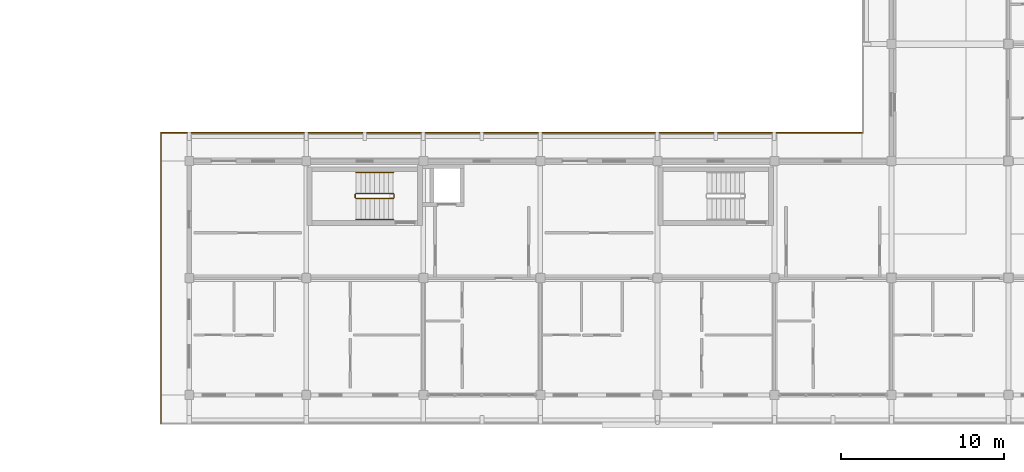
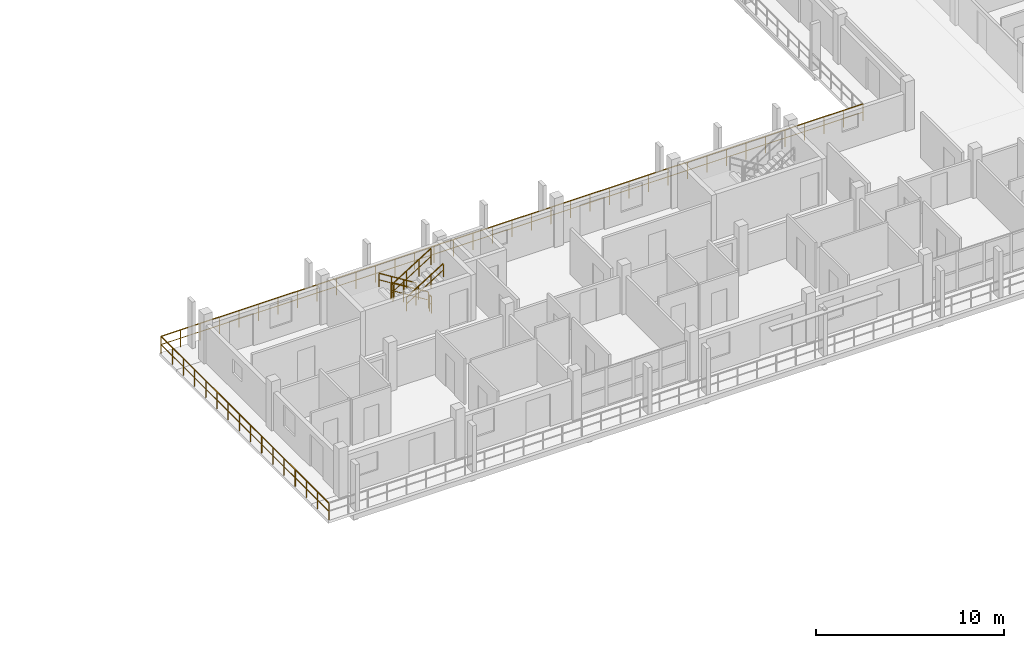
# One storey, part 67 of 73: 8 railings.
"""IFC4 building model written with IfcOpenShell, lengths in metres."""

from ifc_helpers import new_model, si_unit, direction, frame, origin, origin_2d, place, context, subcontext, project, spatial, rectangle, extrude, material, type_object, element, save


model = new_model("IFC4")

# Units and contexts
model_context = context("Model", 3, precision=1e-05, world=origin(), true_north=direction((0.0, 1.0)))
body_context = subcontext(model_context, "Body", "Model", "MODEL_VIEW")
ifc_project = project(units=[si_unit("LENGTHUNIT", "METRE"), si_unit("AREAUNIT", "SQUARE_METRE"), si_unit("VOLUMEUNIT", "CUBIC_METRE"), si_unit("PLANEANGLEUNIT", "RADIAN"), si_unit("MASSUNIT", "GRAM", prefix="KILO")], contexts=[model_context])

# Site, building, storey
site_placement = place(None, origin())
site = spatial("IfcSite", under=ifc_project, at=site_placement, CompositionType="ELEMENT")
building_placement = place(site_placement, origin())
building = spatial("IfcBuilding", under=site, at=building_placement, Name="Suanplinth Sawtooth Commons", CompositionType="ELEMENT")
storey_placement = place(building_placement, frame((0.0, 0.0, 21.89990234375)))
storey = spatial("IfcBuildingStorey", under=building, at=storey_placement, Name="L06", CompositionType="ELEMENT", Elevation=21.89990234375)

# Railings
ifc_material_1 = material(Name="Powder-coated galvanized steel", Category="steel")
railing_type_1 = type_object("IfcRailingType", Name="GR-01", PredefinedType="BALUSTRADE", material=ifc_material_1)
railing_1_placement = place(storey_placement, frame((127.860107421875, -1.739990234375, 0.0)))
element("IfcRailing", 1, at=railing_1_placement, inside=storey, type_object=railing_type_1, Name="L06 Block C Perimeter Balustrade 1", PredefinedType="BALUSTRADE", context=body_context, shape_type="SweptSolid", body=[
    extrude(rectangle(XDim=0.048095703125, YDim=0.048095703125, at=origin_2d()), frame((0.0, 0.0, 1.09619140625), z_axis=(0.0, 1.0, 0.0), x_axis=(-1.0, 0.0, 0.0)), (0.0, 0.0, 1.0), 17.8798828125),
    extrude(rectangle(XDim=0.03369140625, YDim=0.03369140625, at=origin_2d()), frame((0.0, 0.0, 0.56005859375), z_axis=(0.0, 1.0, 0.0), x_axis=(-1.0, 0.0, 0.0)), (0.0, 0.0, 1.0), 17.8798828125),
    extrude(rectangle(XDim=0.0419921875, YDim=0.0419921875, at=origin_2d()), origin(), (0.0, 0.0, 1.0), 1.072021484375),
    extrude(rectangle(XDim=0.0419921875, YDim=0.0419921875, at=origin_2d()), frame((0.0, 1.19189453125, 0.0)), (0.0, 0.0, 1.0), 1.072021484375),
    extrude(rectangle(XDim=0.0419921875, YDim=0.0419921875, at=origin_2d()), frame((0.0, 2.384033203125, 0.0)), (0.0, 0.0, 1.0), 1.072021484375),
    extrude(rectangle(XDim=0.0419921875, YDim=0.0419921875, at=origin_2d()), frame((0.0, 3.575927734375, 0.0)), (0.0, 0.0, 1.0), 1.072021484375),
    extrude(rectangle(XDim=0.0419921875, YDim=0.0419921875, at=origin_2d()), frame((0.0, 4.76806640625, 0.0)), (0.0, 0.0, 1.0), 1.072021484375),
    extrude(rectangle(XDim=0.0419921875, YDim=0.0419921875, at=origin_2d()), frame((0.0, 5.9599609375, 0.0)), (0.0, 0.0, 1.0), 1.072021484375),
    extrude(rectangle(XDim=0.0419921875, YDim=0.0419921875, at=origin_2d()), frame((0.0, 7.15185546875, 0.0)), (0.0, 0.0, 1.0), 1.072021484375),
    extrude(rectangle(XDim=0.0419921875, YDim=0.0419921875, at=origin_2d()), frame((0.0, 8.343994140625, 0.0)), (0.0, 0.0, 1.0), 1.072021484375),
    extrude(rectangle(XDim=0.0419921875, YDim=0.0419921875, at=origin_2d()), frame((0.0, 9.535888671875, 0.0)), (0.0, 0.0, 1.0), 1.072021484375),
    extrude(rectangle(XDim=0.0419921875, YDim=0.0419921875, at=origin_2d()), frame((0.0, 10.72802734375, 0.0)), (0.0, 0.0, 1.0), 1.072021484375),
    extrude(rectangle(XDim=0.0419921875, YDim=0.0419921875, at=origin_2d()), frame((0.0, 11.919921875, 0.0)), (0.0, 0.0, 1.0), 1.072021484375),
    extrude(rectangle(XDim=0.0419921875, YDim=0.0419921875, at=origin_2d()), frame((0.0, 13.11181640625, 0.0)), (0.0, 0.0, 1.0), 1.072021484375),
    extrude(rectangle(XDim=0.0419921875, YDim=0.0419921875, at=origin_2d()), frame((0.0, 14.303955078125, 0.0)), (0.0, 0.0, 1.0), 1.072021484375),
    extrude(rectangle(XDim=0.0419921875, YDim=0.0419921875, at=origin_2d()), frame((0.0, 15.495849609375, 0.0)), (0.0, 0.0, 1.0), 1.072021484375),
    extrude(rectangle(XDim=0.0419921875, YDim=0.0419921875, at=origin_2d()), frame((0.0, 16.68798828125, 0.0)), (0.0, 0.0, 1.0), 1.072021484375),
    extrude(rectangle(XDim=0.0419921875, YDim=0.0419921875, at=origin_2d()), frame((0.0, 17.8798828125, 0.0)), (0.0, 0.0, 1.0), 1.072021484375),
])
railing_2_placement = place(storey_placement, frame((127.860107421875, 16.139892578125, 0.0)))
element("IfcRailing", 2, at=railing_2_placement, inside=storey, type_object=railing_type_1, Name="L06 Block C Perimeter Balustrade 2", PredefinedType="BALUSTRADE", context=body_context, shape_type="SweptSolid", body=[
    extrude(rectangle(XDim=0.048095703125, YDim=0.048095703125, at=origin_2d()), frame((0.0, 0.0, 1.09619140625), z_axis=(1.0, 0.0, 0.0), x_axis=(0.0, 1.0, 0.0)), (0.0, 0.0, 1.0), 43.199951171875),
    extrude(rectangle(XDim=0.03369140625, YDim=0.03369140625, at=origin_2d()), frame((0.0, 0.0, 0.56005859375), z_axis=(1.0, 0.0, 0.0), x_axis=(0.0, 1.0, 0.0)), (0.0, 0.0, 1.0), 43.199951171875),
    extrude(rectangle(XDim=0.0419921875, YDim=0.0419921875, at=origin_2d()), origin(), (0.0, 0.0, 1.0), 1.072021484375),
    extrude(rectangle(XDim=0.0419921875, YDim=0.0419921875, at=origin_2d()), frame((1.199951171875, 0.0, 0.0)), (0.0, 0.0, 1.0), 1.072021484375),
    extrude(rectangle(XDim=0.0419921875, YDim=0.0419921875, at=origin_2d()), frame((2.39990234375, 0.0, 0.0)), (0.0, 0.0, 1.0), 1.072021484375),
    extrude(rectangle(XDim=0.0419921875, YDim=0.0419921875, at=origin_2d()), frame((3.60009765625, 0.0, 0.0)), (0.0, 0.0, 1.0), 1.072021484375),
    extrude(rectangle(XDim=0.0419921875, YDim=0.0419921875, at=origin_2d()), frame((4.800048828125, 0.0, 0.0)), (0.0, 0.0, 1.0), 1.072021484375),
    extrude(rectangle(XDim=0.0419921875, YDim=0.0419921875, at=origin_2d()), frame((6.0, 0.0, 0.0)), (0.0, 0.0, 1.0), 1.072021484375),
    extrude(rectangle(XDim=0.0419921875, YDim=0.0419921875, at=origin_2d()), frame((7.199951171875, 0.0, 0.0)), (0.0, 0.0, 1.0), 1.072021484375),
    extrude(rectangle(XDim=0.0419921875, YDim=0.0419921875, at=origin_2d()), frame((8.39990234375, 0.0, 0.0)), (0.0, 0.0, 1.0), 1.072021484375),
    extrude(rectangle(XDim=0.0419921875, YDim=0.0419921875, at=origin_2d()), frame((9.60009765625, 0.0, 0.0)), (0.0, 0.0, 1.0), 1.072021484375),
    extrude(rectangle(XDim=0.0419921875, YDim=0.0419921875, at=origin_2d()), frame((10.800048828125, 0.0, 0.0)), (0.0, 0.0, 1.0), 1.072021484375),
    extrude(rectangle(XDim=0.0419921875, YDim=0.0419921875, at=origin_2d()), frame((12.0, 0.0, 0.0)), (0.0, 0.0, 1.0), 1.072021484375),
    extrude(rectangle(XDim=0.0419921875, YDim=0.0419921875, at=origin_2d()), frame((13.199951171875, 0.0, 0.0)), (0.0, 0.0, 1.0), 1.072021484375),
    extrude(rectangle(XDim=0.0419921875, YDim=0.0419921875, at=origin_2d()), frame((14.39990234375, 0.0, 0.0)), (0.0, 0.0, 1.0), 1.072021484375),
    extrude(rectangle(XDim=0.0419921875, YDim=0.0419921875, at=origin_2d()), frame((15.60009765625, 0.0, 0.0)), (0.0, 0.0, 1.0), 1.072021484375),
    extrude(rectangle(XDim=0.0419921875, YDim=0.0419921875, at=origin_2d()), frame((16.800048828125, 0.0, 0.0)), (0.0, 0.0, 1.0), 1.072021484375),
    extrude(rectangle(XDim=0.0419921875, YDim=0.0419921875, at=origin_2d()), frame((18.0, 0.0, 0.0)), (0.0, 0.0, 1.0), 1.072021484375),
    extrude(rectangle(XDim=0.0419921875, YDim=0.0419921875, at=origin_2d()), frame((19.199951171875, 0.0, 0.0)), (0.0, 0.0, 1.0), 1.072021484375),
    extrude(rectangle(XDim=0.0419921875, YDim=0.0419921875, at=origin_2d()), frame((20.39990234375, 0.0, 0.0)), (0.0, 0.0, 1.0), 1.072021484375),
    extrude(rectangle(XDim=0.0419921875, YDim=0.0419921875, at=origin_2d()), frame((21.60009765625, 0.0, 0.0)), (0.0, 0.0, 1.0), 1.072021484375),
    extrude(rectangle(XDim=0.0419921875, YDim=0.0419921875, at=origin_2d()), frame((22.800048828125, 0.0, 0.0)), (0.0, 0.0, 1.0), 1.072021484375),
    extrude(rectangle(XDim=0.0419921875, YDim=0.0419921875, at=origin_2d()), frame((24.0, 0.0, 0.0)), (0.0, 0.0, 1.0), 1.072021484375),
    extrude(rectangle(XDim=0.0419921875, YDim=0.0419921875, at=origin_2d()), frame((25.199951171875, 0.0, 0.0)), (0.0, 0.0, 1.0), 1.072021484375),
    extrude(rectangle(XDim=0.0419921875, YDim=0.0419921875, at=origin_2d()), frame((26.39990234375, 0.0, 0.0)), (0.0, 0.0, 1.0), 1.072021484375),
    extrude(rectangle(XDim=0.0419921875, YDim=0.0419921875, at=origin_2d()), frame((27.599853515625, 0.0, 0.0)), (0.0, 0.0, 1.0), 1.072021484375),
    extrude(rectangle(XDim=0.0419921875, YDim=0.0419921875, at=origin_2d()), frame((28.800048828125, 0.0, 0.0)), (0.0, 0.0, 1.0), 1.072021484375),
    extrude(rectangle(XDim=0.0419921875, YDim=0.0419921875, at=origin_2d()), frame((30.0, 0.0, 0.0)), (0.0, 0.0, 1.0), 1.072021484375),
    extrude(rectangle(XDim=0.0419921875, YDim=0.0419921875, at=origin_2d()), frame((31.199951171875, 0.0, 0.0)), (0.0, 0.0, 1.0), 1.072021484375),
    extrude(rectangle(XDim=0.0419921875, YDim=0.0419921875, at=origin_2d()), frame((32.39990234375, 0.0, 0.0)), (0.0, 0.0, 1.0), 1.072021484375),
    extrude(rectangle(XDim=0.0419921875, YDim=0.0419921875, at=origin_2d()), frame((33.599853515625, 0.0, 0.0)), (0.0, 0.0, 1.0), 1.072021484375),
    extrude(rectangle(XDim=0.0419921875, YDim=0.0419921875, at=origin_2d()), frame((34.800048828125, 0.0, 0.0)), (0.0, 0.0, 1.0), 1.072021484375),
    extrude(rectangle(XDim=0.0419921875, YDim=0.0419921875, at=origin_2d()), frame((36.0, 0.0, 0.0)), (0.0, 0.0, 1.0), 1.072021484375),
    extrude(rectangle(XDim=0.0419921875, YDim=0.0419921875, at=origin_2d()), frame((37.199951171875, 0.0, 0.0)), (0.0, 0.0, 1.0), 1.072021484375),
    extrude(rectangle(XDim=0.0419921875, YDim=0.0419921875, at=origin_2d()), frame((38.39990234375, 0.0, 0.0)), (0.0, 0.0, 1.0), 1.072021484375),
    extrude(rectangle(XDim=0.0419921875, YDim=0.0419921875, at=origin_2d()), frame((39.599853515625, 0.0, 0.0)), (0.0, 0.0, 1.0), 1.072021484375),
    extrude(rectangle(XDim=0.0419921875, YDim=0.0419921875, at=origin_2d()), frame((40.800048828125, 0.0, 0.0)), (0.0, 0.0, 1.0), 1.072021484375),
    extrude(rectangle(XDim=0.0419921875, YDim=0.0419921875, at=origin_2d()), frame((42.0, 0.0, 0.0)), (0.0, 0.0, 1.0), 1.072021484375),
    extrude(rectangle(XDim=0.0419921875, YDim=0.0419921875, at=origin_2d()), frame((43.199951171875, 0.0, 0.0)), (0.0, 0.0, 1.0), 1.072021484375),
])
ifc_material_2 = material(Name="Stainless steel Grade 304", Category="steel")
railing_type_2 = type_object("IfcRailingType", Name="GR-04", PredefinedType="GUARDRAIL", material=ifc_material_2)
railing_3_placement = place(storey_placement, frame((142.14990234375, 12.39990234375, 0.177978515625)))
element("IfcRailing", 3, at=railing_3_placement, inside=storey, type_object=railing_type_2, Name="L06 ST-S1 Guard 1", PredefinedType="GUARDRAIL", context=body_context, shape_type="SweptSolid", body=[
    extrude(rectangle(XDim=0.048095703125, YDim=0.048095703125, at=origin_2d()), frame((0.0, 0.0, 1.076171875), z_axis=(-0.848457393559, 0.0, 0.529263687886), x_axis=(0.0, -1.0, 0.0)), (0.0, 0.0, 1.0), 2.68701171875),
    extrude(rectangle(XDim=0.03369140625, YDim=0.03369140625, at=origin_2d()), frame((0.0, 0.0, 0.550048828125), z_axis=(-0.848457393559, 0.0, 0.529263687886), x_axis=(0.0, -1.0, 0.0)), (0.0, 0.0, 1.0), 2.68701171875),
    extrude(rectangle(XDim=0.0419921875, YDim=0.0419921875, at=origin_2d()), origin(), (0.0, 0.0, 1.0), 1.052001953125),
    extrude(rectangle(XDim=0.0419921875, YDim=0.0419921875, at=origin_2d()), frame((-0.760009765625, 0.0, 0.47412109375)), (0.0, 0.0, 1.0), 1.052001953125),
    extrude(rectangle(XDim=0.0419921875, YDim=0.0419921875, at=origin_2d()), frame((-1.519775390625, 0.0, 0.947998046875)), (0.0, 0.0, 1.0), 1.052001953125),
    extrude(rectangle(XDim=0.0419921875, YDim=0.0419921875, at=origin_2d()), frame((-2.27978515625, 0.0, 1.422119140625)), (0.0, 0.0, 1.0), 1.052001953125),
])
railing_4_placement = place(storey_placement, frame((139.820068359375, 12.35009765625, 1.60009765625)))
element("IfcRailing", 4, at=railing_4_placement, inside=storey, type_object=railing_type_2, Name="L06 ST-S1 Guard 2", PredefinedType="GUARDRAIL", context=body_context, shape_type="SweptSolid", body=[
    extrude(rectangle(XDim=0.048095703125, YDim=0.048095703125, at=origin_2d()), frame((0.0, 0.0, 1.076171875), z_axis=(0.0, -1.0, 0.0), x_axis=(1.0, 0.0, 0.0)), (0.0, 0.0, 1.0), 0.2001953125),
    extrude(rectangle(XDim=0.03369140625, YDim=0.03369140625, at=origin_2d()), frame((0.0, 0.0, 0.550048828125), z_axis=(0.0, -1.0, 0.0), x_axis=(1.0, 0.0, 0.0)), (0.0, 0.0, 1.0), 0.2001953125),
    extrude(rectangle(XDim=0.0419921875, YDim=0.0419921875, at=origin_2d()), origin(), (0.0, 0.0, 1.0), 1.052001953125),
    extrude(rectangle(XDim=0.0419921875, YDim=0.0419921875, at=origin_2d()), frame((0.0, -0.2001953125, 0.0)), (0.0, 0.0, 1.0), 1.052001953125),
])
railing_5_placement = place(storey_placement, frame((139.8701171875, 12.10009765625, 1.77783203125)))
element("IfcRailing", 5, at=railing_5_placement, inside=storey, type_object=railing_type_2, Name="L06 ST-S1 Guard 3", PredefinedType="GUARDRAIL", context=body_context, shape_type="SweptSolid", body=[
    extrude(rectangle(XDim=0.048095703125, YDim=0.048095703125, at=origin_2d()), frame((0.0, 0.0, 1.076171875), z_axis=(0.848416591296, 0.0, 0.529329091978), x_axis=(0.0, 1.0, 0.0)), (0.0, 0.0, 1.0), 2.68701171875),
    extrude(rectangle(XDim=0.03369140625, YDim=0.03369140625, at=origin_2d()), frame((0.0, 0.0, 0.550048828125), z_axis=(0.848416591296, 0.0, 0.529329091978), x_axis=(0.0, 1.0, 0.0)), (0.0, 0.0, 1.0), 2.68701171875),
    extrude(rectangle(XDim=0.0419921875, YDim=0.0419921875, at=origin_2d()), origin(), (0.0, 0.0, 1.0), 1.052001953125),
    extrude(rectangle(XDim=0.0419921875, YDim=0.0419921875, at=origin_2d()), frame((0.760009765625, 0.0, 0.47412109375)), (0.0, 0.0, 1.0), 1.052001953125),
    extrude(rectangle(XDim=0.0419921875, YDim=0.0419921875, at=origin_2d()), frame((1.519775390625, 0.0, 0.9482421875)), (0.0, 0.0, 1.0), 1.052001953125),
    extrude(rectangle(XDim=0.0419921875, YDim=0.0419921875, at=origin_2d()), frame((2.27978515625, 0.0, 1.42236328125)), (0.0, 0.0, 1.0), 1.052001953125),
])
railing_6_placement = place(storey_placement, frame((142.199951171875, 12.35009765625, 0.0)))
element("IfcRailing", 6, at=railing_6_placement, inside=storey, type_object=railing_type_2, Name="L06 ST-S1 Guard 4", PredefinedType="GUARDRAIL", context=body_context, shape_type="SweptSolid", body=[
    extrude(rectangle(XDim=0.048095703125, YDim=0.048095703125, at=origin_2d()), frame((0.0, 0.0, 1.076171875), z_axis=(0.0, -1.0, 0.0), x_axis=(1.0, 0.0, 0.0)), (0.0, 0.0, 1.0), 0.2001953125),
    extrude(rectangle(XDim=0.03369140625, YDim=0.03369140625, at=origin_2d()), frame((0.0, 0.0, 0.550048828125), z_axis=(0.0, -1.0, 0.0), x_axis=(1.0, 0.0, 0.0)), (0.0, 0.0, 1.0), 0.2001953125),
    extrude(rectangle(XDim=0.0419921875, YDim=0.0419921875, at=origin_2d()), origin(), (0.0, 0.0, 1.0), 1.052001953125),
    extrude(rectangle(XDim=0.0419921875, YDim=0.0419921875, at=origin_2d()), frame((0.0, -0.2001953125, 0.0)), (0.0, 0.0, 1.0), 1.052001953125),
])
railing_type_3 = type_object("IfcRailingType", Name="HR-01", PredefinedType="HANDRAIL", material=ifc_material_2)
railing_7_placement = place(storey_placement, frame((142.14990234375, 13.699951171875, 0.177978515625)))
element("IfcRailing", 7, at=railing_7_placement, inside=storey, type_object=railing_type_3, Name="L06 ST-S1 Handrail 1", PredefinedType="HANDRAIL", context=body_context, shape_type="SweptSolid", body=[
    extrude(rectangle(XDim=0.048095703125, YDim=0.048095703125, at=origin_2d()), frame((0.0, 0.0, 0.8759765625), z_axis=(-0.848457393559, 0.0, 0.529263687886), x_axis=(0.0, -1.0, 0.0)), (0.0, 0.0, 1.0), 2.68701171875),
    extrude(rectangle(XDim=0.03369140625, YDim=0.03369140625, at=origin_2d()), frame((0.0, 0.0, 0.449951171875), z_axis=(-0.848457393559, 0.0, 0.529263687886), x_axis=(0.0, -1.0, 0.0)), (0.0, 0.0, 1.0), 2.68701171875),
    extrude(rectangle(XDim=0.0419921875, YDim=0.0419921875, at=origin_2d()), origin(), (0.0, 0.0, 1.0), 0.851806640625),
    extrude(rectangle(XDim=0.0419921875, YDim=0.0419921875, at=origin_2d()), frame((-0.760009765625, 0.0, 0.47412109375)), (0.0, 0.0, 1.0), 0.851806640625),
    extrude(rectangle(XDim=0.0419921875, YDim=0.0419921875, at=origin_2d()), frame((-1.519775390625, 0.0, 0.947998046875)), (0.0, 0.0, 1.0), 0.851806640625),
    extrude(rectangle(XDim=0.0419921875, YDim=0.0419921875, at=origin_2d()), frame((-2.27978515625, 0.0, 1.422119140625)), (0.0, 0.0, 1.0), 0.851806640625),
])
railing_8_placement = place(storey_placement, frame((139.8701171875, 10.800048828125, 1.77783203125)))
element("IfcRailing", 8, at=railing_8_placement, inside=storey, type_object=railing_type_3, Name="L06 ST-S1 Handrail 2", PredefinedType="HANDRAIL", context=body_context, shape_type="SweptSolid", body=[
    extrude(rectangle(XDim=0.048095703125, YDim=0.048095703125, at=origin_2d()), frame((0.0, 0.0, 0.8759765625), z_axis=(0.848416591296, 0.0, 0.529329091978), x_axis=(0.0, 1.0, 0.0)), (0.0, 0.0, 1.0), 2.68701171875),
    extrude(rectangle(XDim=0.03369140625, YDim=0.03369140625, at=origin_2d()), frame((0.0, 0.0, 0.449951171875), z_axis=(0.848416591296, 0.0, 0.529329091978), x_axis=(0.0, 1.0, 0.0)), (0.0, 0.0, 1.0), 2.68701171875),
    extrude(rectangle(XDim=0.0419921875, YDim=0.0419921875, at=origin_2d()), origin(), (0.0, 0.0, 1.0), 0.851806640625),
    extrude(rectangle(XDim=0.0419921875, YDim=0.0419921875, at=origin_2d()), frame((0.760009765625, 0.0, 0.47412109375)), (0.0, 0.0, 1.0), 0.851806640625),
    extrude(rectangle(XDim=0.0419921875, YDim=0.0419921875, at=origin_2d()), frame((1.519775390625, 0.0, 0.9482421875)), (0.0, 0.0, 1.0), 0.851806640625),
    extrude(rectangle(XDim=0.0419921875, YDim=0.0419921875, at=origin_2d()), frame((2.27978515625, 0.0, 1.42236328125)), (0.0, 0.0, 1.0), 0.851806640625),
])

save(model, "model.ifc")
